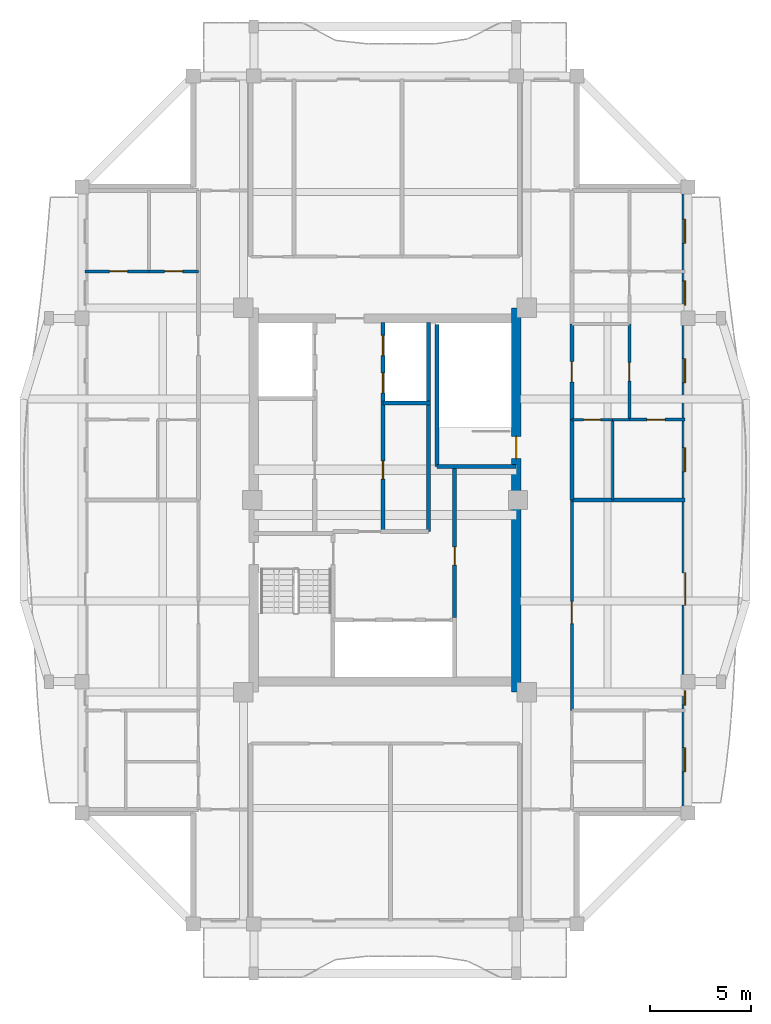
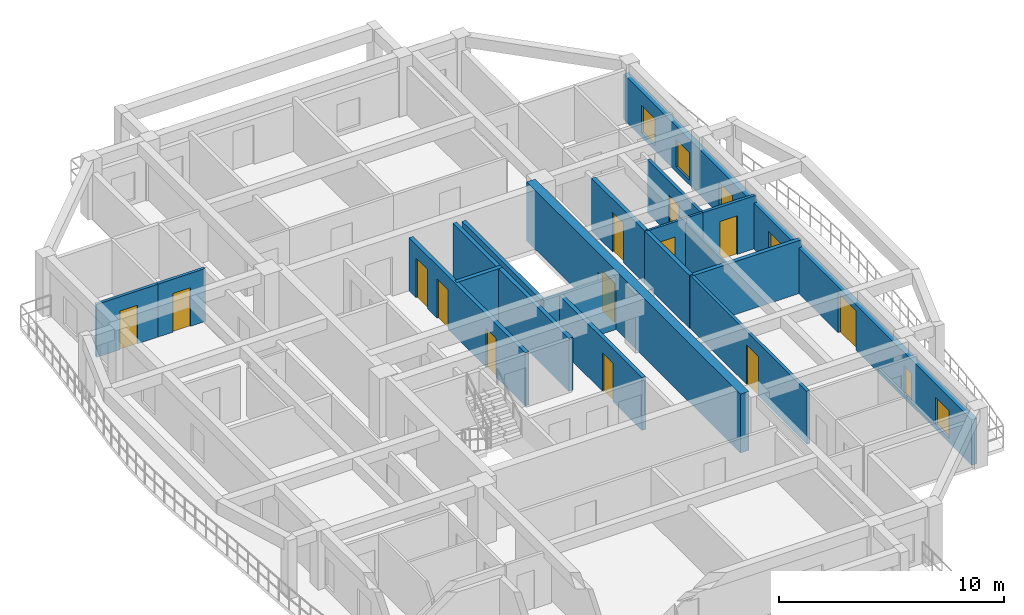
# One storey, part 4 of 11: 20 walls, 13 doors, 6 windows, 19 openings.
"""IFC4 building model written with IfcOpenShell, lengths in metres."""

from ifc_helpers import new_model, si_unit, direction, frame, frame_2d, origin, place, context, subcontext, project, spatial, rectangle, extrude, source, transform, mapped, material, layer, layer_set, type_object, element, fill, save


model = new_model("IFC4")

# Units and contexts
model_context = context("Model", 3, precision=1e-05, world=origin(), true_north=direction((0.0, 1.0)))
body_context = subcontext(model_context, "Body", "Model", "MODEL_VIEW")
ifc_project = project(units=[si_unit("LENGTHUNIT", "METRE"), si_unit("AREAUNIT", "SQUARE_METRE"), si_unit("VOLUMEUNIT", "CUBIC_METRE"), si_unit("PLANEANGLEUNIT", "RADIAN"), si_unit("MASSUNIT", "GRAM", prefix="KILO")], contexts=[model_context])

# Site, building, storey
site_placement = place(None, origin())
site = spatial("IfcSite", under=ifc_project, at=site_placement, CompositionType="ELEMENT")
building_placement = place(site_placement, origin())
building = spatial("IfcBuilding", under=site, at=building_placement, Name="Saelheon Loggia Tower", CompositionType="ELEMENT")
storey_placement = place(building_placement, frame((0.0, 0.0, 249.0)))
storey = spatial("IfcBuildingStorey", under=building, at=storey_placement, Name="L77", CompositionType="ELEMENT", Elevation=249.0)

# Wall, opening, door
ifc_material_1 = material(Name="Concrete C45/55", Category="concrete")
ifc_layer_1 = layer(ifc_material_1, 0.449951171875)
ifc_layer_set_1 = layer_set([ifc_layer_1], Name="Concrete C45/55")
wall_type_1 = type_object("IfcWallType", Name="Wall_CoreShear_450", PredefinedType="SHEAR", material=ifc_layer_set_1)
wall_1_placement = place(storey_placement, frame((44.5, 17.47998046875, 0.0), z_axis=(0.0, 0.0, 1.0), x_axis=(0.0, 1.0, 0.0)))
wall_1 = element("IfcWall", 1, at=wall_1_placement, inside=storey, type_object=wall_type_1, Name="L77 Core Shear Wall East", PredefinedType="SHEAR", context=body_context, shape_type="SweptSolid", body=[
    extrude(rectangle(XDim=19.0400390625, YDim=0.449951171875, at=frame_2d((9.52001953125, 0.0))), origin(), (0.0, 0.0, 1.0), 3.199951171875),
])
opening_1_placement = place(wall_1_placement, frame((12.670166015625, 0.0, 0.0), z_axis=(0.0, 0.0, 1.0), x_axis=(-1.0, 0.0, 0.0)))
opening_1 = element("IfcOpeningElement", 2, at=opening_1_placement, cuts=wall_1, Name="Opening D-FD2", PredefinedType="OPENING", context=body_context, shape_type="SweptSolid", body=[
    extrude(rectangle(XDim=1.10009765625, YDim=2.14990234375, at=frame_2d((0.550048828125, 1.074951171875))), frame((0.0, 0.237060546875, 0.0), z_axis=(0.0, -1.0, 0.0), x_axis=(1.0, 0.0, 0.0)), (0.0, 0.0, 1.0), 0.473876953125),
])
ifc_material_2 = material(Name="Galvanised Steel Fire Door", Category="steel")
door_type_1 = type_object("IfcDoorType", Name="Door_Fire_FD60_1100", OperationType="NOTDEFINED", PredefinedType="DOOR", material=ifc_material_2)
shared_shape_1 = source(origin(), body_context, "Body", "SweptSolid", [
    extrude(rectangle(XDim=1.10009765625, YDim=2.14990234375, at=frame_2d((0.550048828125, 1.074951171875))), frame((0.0, 0.02490234375, 0.0), z_axis=(0.0, -1.0, 0.0), x_axis=(1.0, 0.0, 0.0)), (0.0, 0.0, 1.0), 0.050048828125),
])
door_1_placement = place(opening_1_placement, origin())
door_1 = element("IfcDoor", 3, at=door_1_placement, inside=storey, type_object=door_type_1, Name="L77 Stair ST2 Corridor Door", OperationType="SINGLE_SWING_RIGHT", OverallHeight=2.14990234375, OverallWidth=1.10009765625, PredefinedType="DOOR", context=body_context, shape_type="MappedRepresentation", body=[
    mapped(shared_shape_1, transform((0.0, 0.0, 0.0), scale=1.0)),
])
fill(opening_1, door_1)

# Wall, openings, windows, door
ifc_material_3 = material(Name="Architectural Precast Concrete C40/50", Category="concrete")
ifc_layer_2 = layer(ifc_material_3, 0.280029296875)
ifc_layer_set_2 = layer_set([ifc_layer_2], Name="Architectural Precast Concrete C40/50")
wall_type_2 = type_object("IfcWallType", Name="Wall_Ext_Loggia_280", PredefinedType="SOLIDWALL", material=ifc_layer_set_2)
wall_2_placement = place(storey_placement, frame((52.860107421875, 11.5, 0.0), z_axis=(0.0, 0.0, 1.0), x_axis=(0.0, 1.0, 0.0)))
wall_2 = element("IfcWall", 4, at=wall_2_placement, inside=storey, type_object=wall_type_2, Name="L77 East Loggia Inner Wall", PredefinedType="SOLIDWALL", context=body_context, shape_type="SweptSolid", body=[
    extrude(rectangle(XDim=31.0, YDim=0.280029296875, at=frame_2d((15.5, 0.0))), origin(), (0.0, 0.0, 1.0), 2.47998046875),
])
opening_2_placement = place(wall_2_placement, frame((2.034912109375, 0.0, 0.25)))
opening_2 = element("IfcOpeningElement", 5, at=opening_2_placement, cuts=wall_2, Name="Opening WN-03", PredefinedType="OPENING", context=body_context, shape_type="SweptSolid", body=[
    extrude(rectangle(XDim=1.199951171875, YDim=1.5, at=frame_2d((0.60009765625, 0.75))), frame((0.0, 0.152099609375, 0.0), z_axis=(0.0, -1.0, 0.0), x_axis=(1.0, 0.0, 0.0)), (0.0, 0.0, 1.0), 0.303955078125),
])
opening_3_placement = place(wall_2_placement, frame((5.344970703125, 0.0, 0.25)))
opening_3 = element("IfcOpeningElement", 6, at=opening_3_placement, cuts=wall_2, Name="Opening WN-06", PredefinedType="OPENING", context=body_context, shape_type="SweptSolid", body=[
    extrude(rectangle(XDim=0.699951171875, YDim=1.5, at=frame_2d((0.35009765625, 0.75))), frame((0.0, 0.152099609375, 0.0), z_axis=(0.0, -1.0, 0.0), x_axis=(1.0, 0.0, 0.0)), (0.0, 0.0, 1.0), 0.303955078125),
])
opening_4_placement = place(wall_2_placement, frame((11.89501953125, 0.0, 0.0), z_axis=(0.0, 0.0, 1.0), x_axis=(-1.0, 0.0, 0.0)))
opening_4 = element("IfcOpeningElement", 7, at=opening_4_placement, cuts=wall_2, Name="Opening DLG-1", PredefinedType="OPENING", context=body_context, shape_type="SweptSolid", body=[
    extrude(rectangle(XDim=1.60009765625, YDim=2.14990234375, at=frame_2d((0.800048828125, 1.074951171875))), frame((0.0, 0.152099609375, 0.0), z_axis=(0.0, -1.0, 0.0), x_axis=(1.0, 0.0, 0.0)), (0.0, 0.0, 1.0), 0.303955078125),
])
opening_5_placement = place(wall_2_placement, frame((16.8916015625, 0.0, 0.25)))
opening_5 = element("IfcOpeningElement", 8, at=opening_5_placement, cuts=wall_2, Name="Opening WN-03", PredefinedType="OPENING", context=body_context, shape_type="SweptSolid", body=[
    extrude(rectangle(XDim=1.199951171875, YDim=1.5, at=frame_2d((0.60009765625, 0.75))), frame((0.0, 0.152099609375, 0.0), z_axis=(0.0, -1.0, 0.0), x_axis=(1.0, 0.0, 0.0)), (0.0, 0.0, 1.0), 0.303955078125),
])
opening_6_placement = place(wall_2_placement, frame((21.296630859375, 0.0, 0.25)))
opening_6 = element("IfcOpeningElement", 9, at=opening_6_placement, cuts=wall_2, Name="Opening WN-03", PredefinedType="OPENING", context=body_context, shape_type="SweptSolid", body=[
    extrude(rectangle(XDim=1.199951171875, YDim=1.5, at=frame_2d((0.60009765625, 0.75))), frame((0.0, 0.152099609375, 0.0), z_axis=(0.0, -1.0, 0.0), x_axis=(1.0, 0.0, 0.0)), (0.0, 0.0, 1.0), 0.303955078125),
])
opening_7_placement = place(wall_2_placement, frame((25.155029296875, 0.0, 0.25)))
opening_7 = element("IfcOpeningElement", 10, at=opening_7_placement, cuts=wall_2, Name="Opening WN-03", PredefinedType="OPENING", context=body_context, shape_type="SweptSolid", body=[
    extrude(rectangle(XDim=1.199951171875, YDim=1.5, at=frame_2d((0.60009765625, 0.75))), frame((0.0, 0.152099609375, 0.0), z_axis=(0.0, -1.0, 0.0), x_axis=(1.0, 0.0, 0.0)), (0.0, 0.0, 1.0), 0.303955078125),
])
opening_8_placement = place(wall_2_placement, frame((28.215087890625, 0.0, 0.25)))
opening_8 = element("IfcOpeningElement", 11, at=opening_8_placement, cuts=wall_2, Name="Opening WN-03", PredefinedType="OPENING", context=body_context, shape_type="SweptSolid", body=[
    extrude(rectangle(XDim=1.199951171875, YDim=1.5, at=frame_2d((0.60009765625, 0.75))), frame((0.0, 0.152099609375, 0.0), z_axis=(0.0, -1.0, 0.0), x_axis=(1.0, 0.0, 0.0)), (0.0, 0.0, 1.0), 0.303955078125),
])
ifc_material_4 = material(Name="Thermal-Break Aluminium and Triple Low-E Glass", Category="aluminium")
window_type_1 = type_object("IfcWindowType", Name="Win_Slot_700x1500", PartitioningType="SINGLE_PANEL", PredefinedType="WINDOW", material=ifc_material_4)
shared_shape_2 = source(origin(), body_context, "Body", "SweptSolid", [
    extrude(rectangle(XDim=0.699951171875, YDim=1.5, at=frame_2d((0.35009765625, 0.75))), frame((0.0, 0.030029296875, 0.0), z_axis=(0.0, -1.0, 0.0), x_axis=(1.0, 0.0, 0.0)), (0.0, 0.0, 1.0), 0.06005859375),
])
window_1_placement = place(opening_3_placement, origin())
window_1 = element("IfcWindow", 12, at=window_1_placement, inside=storey, type_object=window_type_1, Name="L77 E Dwelling Window 2", OverallHeight=1.5, OverallWidth=0.699951171875, PartitioningType="SINGLE_PANEL", PredefinedType="WINDOW", context=body_context, shape_type="MappedRepresentation", body=[
    mapped(shared_shape_2, transform((0.0, 0.0, 0.0), scale=1.0)),
])
fill(opening_3, window_1)
window_type_2 = type_object("IfcWindowType", Name="Win_Bedroom_1200x1500", PartitioningType="SINGLE_PANEL", PredefinedType="WINDOW", material=ifc_material_4)
shared_shape_3 = source(origin(), body_context, "Body", "SweptSolid", [
    extrude(rectangle(XDim=1.199951171875, YDim=1.5, at=frame_2d((0.60009765625, 0.75))), frame((0.0, 0.030029296875, 0.0), z_axis=(0.0, -1.0, 0.0), x_axis=(1.0, 0.0, 0.0)), (0.0, 0.0, 1.0), 0.06005859375),
])
window_2_placement = place(opening_2_placement, origin())
window_2 = element("IfcWindow", 13, at=window_2_placement, inside=storey, type_object=window_type_2, Name="L77 E Dwelling Window 1", OverallHeight=1.5, OverallWidth=1.199951171875, PartitioningType="SINGLE_PANEL", PredefinedType="WINDOW", context=body_context, shape_type="MappedRepresentation", body=[
    mapped(shared_shape_3, transform((0.0, 0.0, 0.0), scale=1.0)),
])
fill(opening_2, window_2)
window_3_placement = place(opening_5_placement, origin())
window_3 = element("IfcWindow", 14, at=window_3_placement, inside=storey, type_object=window_type_2, Name="L77 E Dwelling Window 4", OverallHeight=1.5, OverallWidth=1.199951171875, PartitioningType="SINGLE_PANEL", PredefinedType="WINDOW", context=body_context, shape_type="MappedRepresentation", body=[
    mapped(shared_shape_3, transform((0.0, 0.0, 0.0), scale=1.0)),
])
fill(opening_5, window_3)
window_4_placement = place(opening_6_placement, origin())
window_4 = element("IfcWindow", 15, at=window_4_placement, inside=storey, type_object=window_type_2, Name="L77 E Dwelling Window 5", OverallHeight=1.5, OverallWidth=1.199951171875, PartitioningType="SINGLE_PANEL", PredefinedType="WINDOW", context=body_context, shape_type="MappedRepresentation", body=[
    mapped(shared_shape_3, transform((0.0, 0.0, 0.0), scale=1.0)),
])
fill(opening_6, window_4)
window_5_placement = place(opening_7_placement, origin())
window_5 = element("IfcWindow", 16, at=window_5_placement, inside=storey, type_object=window_type_2, Name="L77 E Dwelling Window 6", OverallHeight=1.5, OverallWidth=1.199951171875, PartitioningType="SINGLE_PANEL", PredefinedType="WINDOW", context=body_context, shape_type="MappedRepresentation", body=[
    mapped(shared_shape_3, transform((0.0, 0.0, 0.0), scale=1.0)),
])
fill(opening_7, window_5)
window_6_placement = place(opening_8_placement, origin())
window_6 = element("IfcWindow", 17, at=window_6_placement, inside=storey, type_object=window_type_2, Name="L77 E Dwelling Window 7", OverallHeight=1.5, OverallWidth=1.199951171875, PartitioningType="SINGLE_PANEL", PredefinedType="WINDOW", context=body_context, shape_type="MappedRepresentation", body=[
    mapped(shared_shape_3, transform((0.0, 0.0, 0.0), scale=1.0)),
])
fill(opening_8, window_6)
ifc_material_5 = material(Name="Thermal-Break Aluminium Sliding Glazed Door", Category="aluminium")
door_type_2 = type_object("IfcDoorType", Name="Door_LoggiaSlide_1600", OperationType="SLIDING_TO_LEFT", PredefinedType="DOOR", material=ifc_material_5)
shared_shape_4 = source(origin(), body_context, "Body", "SweptSolid", [
    extrude(rectangle(XDim=1.60009765625, YDim=2.14990234375, at=frame_2d((0.800048828125, 1.074951171875))), frame((0.0, 0.02490234375, 0.0), z_axis=(0.0, -1.0, 0.0), x_axis=(1.0, 0.0, 0.0)), (0.0, 0.0, 1.0), 0.050048828125),
])
door_2_placement = place(opening_4_placement, origin())
door_2 = element("IfcDoor", 18, at=door_2_placement, inside=storey, type_object=door_type_2, Name="L77 E Loggia Access Door", OperationType="SLIDING_TO_LEFT", OverallHeight=2.14990234375, OverallWidth=1.60009765625, PredefinedType="DOOR", context=body_context, shape_type="MappedRepresentation", body=[
    mapped(shared_shape_4, transform((0.0, 0.0, 0.0), scale=1.0)),
])
fill(opening_4, door_2)

# Wall, opening, door
ifc_material_6 = material(Name="Lightweight Autoclaved Aerated Concrete Block and Acoustic Gypsum", Category="concrete")
ifc_layer_3 = layer(ifc_material_6, 0.14990234375)
ifc_layer_set_3 = layer_set([ifc_layer_3], Name="Lightweight Autoclaved Aerated Concrete Block and Acoustic Gypsum")
wall_type_3 = type_object("IfcWallType", Name="Wall_Part_150", PredefinedType="PARTITIONING", material=ifc_layer_set_3)
wall_3_placement = place(storey_placement, frame((28.75, 38.320068359375, 0.0), z_axis=(0.0, 0.0, 1.0), x_axis=(-1.0, 0.0, 0.0)))
wall_3 = element("IfcWall", 19, at=wall_3_placement, inside=storey, type_object=wall_type_3, Name="L77 W Partition U18", PredefinedType="PARTITIONING", context=body_context, shape_type="SweptSolid", body=[
    extrude(rectangle(XDim=2.43994140625, YDim=0.14990234375, at=frame_2d((1.219970703125, 0.0))), origin(), (0.0, 0.0, 1.0), 2.8798828125),
])
opening_9_placement = place(wall_3_placement, frame((0.77001953125, 0.0, 0.0)))
opening_9 = element("IfcOpeningElement", 20, at=opening_9_placement, cuts=wall_3, Name="Opening D-IN2", PredefinedType="OPENING", context=body_context, shape_type="SweptSolid", body=[
    extrude(rectangle(XDim=0.89990234375, YDim=2.10009765625, at=frame_2d((0.449951171875, 1.050048828125))), frame((0.0, 0.0869140625, 0.0), z_axis=(0.0, -1.0, 0.0), x_axis=(1.0, 0.0, 0.0)), (0.0, 0.0, 1.0), 0.173828125),
])
ifc_material_7 = material(Name="Engineered Oak Flush Door", Category="timber")
door_type_3 = type_object("IfcDoorType", Name="Door_Int_900", OperationType="NOTDEFINED", PredefinedType="DOOR", material=ifc_material_7)
shared_shape_5 = source(origin(), body_context, "Body", "SweptSolid", [
    extrude(rectangle(XDim=0.89990234375, YDim=2.10009765625, at=frame_2d((0.449951171875, 1.050048828125))), frame((0.0, 0.02490234375, 0.0), z_axis=(0.0, -1.0, 0.0), x_axis=(1.0, 0.0, 0.0)), (0.0, 0.0, 1.0), 0.050048828125),
])
door_3_placement = place(opening_9_placement, origin())
door_3 = element("IfcDoor", 21, at=door_3_placement, inside=storey, type_object=door_type_3, Name="Unit U01 Kitchen Door", OperationType="SINGLE_SWING_RIGHT", OverallHeight=2.10009765625, OverallWidth=0.89990234375, PredefinedType="DOOR", context=body_context, shape_type="MappedRepresentation", body=[
    mapped(shared_shape_5, transform((0.0, 0.0, 0.0), scale=1.0)),
])
fill(opening_9, door_3)

wall_4_placement = place(storey_placement, frame((26.31005859375, 38.320068359375, 0.0), z_axis=(0.0, 0.0, 1.0), x_axis=(-1.0, 0.0, 0.0)))
wall_4 = element("IfcWall", 22, at=wall_4_placement, inside=storey, type_object=wall_type_3, Name="L77 W Partition U19", PredefinedType="PARTITIONING", context=body_context, shape_type="SweptSolid", body=[
    extrude(rectangle(XDim=3.16015625, YDim=0.14990234375, at=frame_2d((1.580078125, 0.0))), origin(), (0.0, 0.0, 1.0), 2.8798828125),
])
opening_10_placement = place(wall_4_placement, frame((1.055908203125, 0.0, 0.0)))
opening_10 = element("IfcOpeningElement", 23, at=opening_10_placement, cuts=wall_4, Name="Opening D-IN2", PredefinedType="OPENING", context=body_context, shape_type="SweptSolid", body=[
    extrude(rectangle(XDim=0.89990234375, YDim=2.10009765625, at=frame_2d((0.449951171875, 1.050048828125))), frame((0.0, 0.0869140625, 0.0), z_axis=(0.0, -1.0, 0.0), x_axis=(1.0, 0.0, 0.0)), (0.0, 0.0, 1.0), 0.173828125),
])
door_4_placement = place(opening_10_placement, origin())
door_4 = element("IfcDoor", 24, at=door_4_placement, inside=storey, type_object=door_type_3, Name="Unit U01 Bedroom 1 Door", OperationType="SINGLE_SWING_LEFT", OverallHeight=2.10009765625, OverallWidth=0.89990234375, PredefinedType="DOOR", context=body_context, shape_type="MappedRepresentation", body=[
    mapped(shared_shape_5, transform((0.0, 0.0, 0.0), scale=1.0)),
])
fill(opening_10, door_4)

wall_5_placement = place(storey_placement, frame((47.25, 16.580078125, 0.0), z_axis=(0.0, 0.0, 1.0), x_axis=(0.0, 1.0, 0.0)))
wall_5 = element("IfcWall", 25, at=wall_5_placement, inside=storey, type_object=wall_type_3, Name="L77 E Partition V09", PredefinedType="PARTITIONING", context=body_context, shape_type="SweptSolid", body=[
    extrude(rectangle(XDim=10.419921875, YDim=0.14990234375, at=frame_2d((5.2099609375, 0.0))), origin(), (0.0, 0.0, 1.0), 2.8798828125),
])
opening_11_placement = place(wall_5_placement, frame((4.293212890625, 0.0, 0.0)))
opening_11 = element("IfcOpeningElement", 26, at=opening_11_placement, cuts=wall_5, Name="Opening D-FD2", PredefinedType="OPENING", context=body_context, shape_type="SweptSolid", body=[
    extrude(rectangle(XDim=1.10009765625, YDim=2.14990234375, at=frame_2d((0.550048828125, 1.074951171875))), frame((0.0, 0.0869140625, 0.0), z_axis=(0.0, -1.0, 0.0), x_axis=(1.0, 0.0, 0.0)), (0.0, 0.0, 1.0), 0.173828125),
])
door_5_placement = place(opening_11_placement, origin())
door_5 = element("IfcDoor", 27, at=door_5_placement, inside=storey, type_object=door_type_1, Name="L77 Community Wellness Activity Hall Door A", OperationType="SINGLE_SWING_LEFT", OverallHeight=2.14990234375, OverallWidth=1.10009765625, PredefinedType="DOOR", context=body_context, shape_type="MappedRepresentation", body=[
    mapped(shared_shape_1, transform((0.0, 0.0, 0.0), scale=1.0)),
])
fill(opening_11, door_5)

wall_6_placement = place(storey_placement, frame((50.10009765625, 30.983154296875, 0.0), z_axis=(0.0, 0.0, 1.0), x_axis=(0.0, 1.0, 0.0)))
wall_6 = element("IfcWall", 28, at=wall_6_placement, inside=storey, type_object=wall_type_3, Name="L77 E Partition V15", PredefinedType="PARTITIONING", context=body_context, shape_type="SweptSolid", body=[
    extrude(rectangle(XDim=4.73681640625, YDim=0.14990234375, at=frame_2d((2.368408203125, 0.0))), origin(), (0.0, 0.0, 1.0), 2.8798828125),
])
opening_12_placement = place(wall_6_placement, frame((1.91845703125, 0.0, 0.0)))
opening_12 = element("IfcOpeningElement", 29, at=opening_12_placement, cuts=wall_6, Name="Opening D-IN2", PredefinedType="OPENING", context=body_context, shape_type="SweptSolid", body=[
    extrude(rectangle(XDim=0.89990234375, YDim=2.10009765625, at=frame_2d((0.449951171875, 1.050048828125))), frame((0.0, 0.0869140625, 0.0), z_axis=(0.0, -1.0, 0.0), x_axis=(1.0, 0.0, 0.0)), (0.0, 0.0, 1.0), 0.173828125),
])
door_6_placement = place(opening_12_placement, origin())
door_6 = element("IfcDoor", 30, at=door_6_placement, inside=storey, type_object=door_type_3, Name="Unit U02 Living Door", OperationType="SINGLE_SWING_LEFT", OverallHeight=2.10009765625, OverallWidth=0.89990234375, PredefinedType="DOOR", context=body_context, shape_type="MappedRepresentation", body=[
    mapped(shared_shape_5, transform((0.0, 0.0, 0.0), scale=1.0)),
])
fill(opening_12, door_6)

wall_7_placement = place(storey_placement, frame((50.10009765625, 30.983154296875, 0.0), z_axis=(0.0, 0.0, 1.0), x_axis=(1.0, 0.0, 0.0)))
wall_7 = element("IfcWall", 31, at=wall_7_placement, inside=storey, type_object=wall_type_3, Name="L77 E Partition U22", PredefinedType="PARTITIONING", context=body_context, shape_type="SweptSolid", body=[
    extrude(rectangle(XDim=2.75, YDim=0.14990234375, at=frame_2d((1.375, 0.0))), origin(), (0.0, 0.0, 1.0), 2.8798828125),
])
opening_13_placement = place(wall_7_placement, frame((0.867919921875, 0.0, 0.0)))
opening_13 = element("IfcOpeningElement", 32, at=opening_13_placement, cuts=wall_7, Name="Opening D-IN2", PredefinedType="OPENING", context=body_context, shape_type="SweptSolid", body=[
    extrude(rectangle(XDim=0.89990234375, YDim=2.10009765625, at=frame_2d((0.449951171875, 1.050048828125))), frame((0.0, 0.0869140625, 0.0), z_axis=(0.0, -1.0, 0.0), x_axis=(1.0, 0.0, 0.0)), (0.0, 0.0, 1.0), 0.173828125),
])
door_7_placement = place(opening_13_placement, origin())
door_7 = element("IfcDoor", 33, at=door_7_placement, inside=storey, type_object=door_type_3, Name="Unit U02 Bedroom 2 Door", OperationType="SINGLE_SWING_RIGHT", OverallHeight=2.10009765625, OverallWidth=0.89990234375, PredefinedType="DOOR", context=body_context, shape_type="MappedRepresentation", body=[
    mapped(shared_shape_5, transform((0.0, 0.0, 0.0), scale=1.0)),
])
fill(opening_13, door_7)

# Walls
ifc_material_8 = material(Name="Double Acoustic Stud and Fireboard Partition", Category="gypsum")
ifc_layer_4 = layer(ifc_material_8, 0.199951171875)
ifc_layer_set_4 = layer_set([ifc_layer_4], Name="Double Acoustic Stud and Fireboard Partition")
wall_type_4 = type_object("IfcWallType", Name="Wall_Party_200", PredefinedType="PARTITIONING", material=ifc_layer_set_4)
wall_8_placement = place(storey_placement, frame((47.25, 27.0, 0.0), z_axis=(0.0, 0.0, 1.0), x_axis=(1.0, 0.0, 0.0)))
element("IfcWall", 34, at=wall_8_placement, inside=storey, type_object=wall_type_4, Name="L77 E Partition U10", PredefinedType="PARTITIONING", context=body_context, shape_type="SweptSolid", body=[
    extrude(rectangle(XDim=5.60009765625, YDim=0.199951171875, at=frame_2d((2.800048828125, 0.0))), origin(), (0.0, 0.0, 1.0), 2.8798828125),
])
wall_9_placement = place(storey_placement, frame((47.25, 27.0, 0.0), z_axis=(0.0, 0.0, 1.0), x_axis=(0.0, 1.0, 0.0)))
element("IfcWall", 35, at=wall_9_placement, inside=storey, type_object=wall_type_4, Name="L77 E Partition V11", PredefinedType="PARTITIONING", context=body_context, shape_type="SweptSolid", body=[
    extrude(rectangle(XDim=3.983154296875, YDim=0.199951171875, at=frame_2d((1.99169921875, 0.0))), origin(), (0.0, 0.0, 1.0), 2.8798828125),
])

# Wall, opening, door
wall_10_placement = place(storey_placement, frame((47.25, 30.983154296875, 0.0), z_axis=(0.0, 0.0, 1.0), x_axis=(0.0, 1.0, 0.0)))
wall_10 = element("IfcWall", 36, at=wall_10_placement, inside=storey, type_object=wall_type_4, Name="L77 E Partition V12", PredefinedType="PARTITIONING", context=body_context, shape_type="SweptSolid", body=[
    extrude(rectangle(XDim=4.73681640625, YDim=0.199951171875, at=frame_2d((2.368408203125, 0.0))), origin(), (0.0, 0.0, 1.0), 2.8798828125),
])
opening_14_placement = place(wall_10_placement, frame((1.868408203125, 0.0, 0.0)))
opening_14 = element("IfcOpeningElement", 37, at=opening_14_placement, cuts=wall_10, Name="Opening D-FD1", PredefinedType="OPENING", context=body_context, shape_type="SweptSolid", body=[
    extrude(rectangle(XDim=1.0, YDim=2.14990234375, at=frame_2d((0.5, 1.074951171875))), frame((0.0, 0.112060546875, 0.0), z_axis=(0.0, -1.0, 0.0), x_axis=(1.0, 0.0, 0.0)), (0.0, 0.0, 1.0), 0.223876953125),
])
ifc_material_9 = material(Name="Fire-Rated Engineered Timber Entrance Door", Category="wood")
door_type_4 = type_object("IfcDoorType", Name="Door_Flat_FD30S", OperationType="NOTDEFINED", PredefinedType="DOOR", material=ifc_material_9)
shared_shape_6 = source(origin(), body_context, "Body", "SweptSolid", [
    extrude(rectangle(XDim=1.0, YDim=2.14990234375, at=frame_2d((0.5, 1.074951171875))), frame((0.0, 0.02490234375, 0.0), z_axis=(0.0, -1.0, 0.0), x_axis=(1.0, 0.0, 0.0)), (0.0, 0.0, 1.0), 0.050048828125),
])
door_8_placement = place(opening_14_placement, origin())
door_8 = element("IfcDoor", 38, at=door_8_placement, inside=storey, type_object=door_type_4, Name="Unit U02 Entrance Door", OperationType="SINGLE_SWING_RIGHT", OverallHeight=2.14990234375, OverallWidth=1.0, PredefinedType="DOOR", context=body_context, shape_type="MappedRepresentation", body=[
    mapped(shared_shape_6, transform((0.0, 0.0, 0.0), scale=1.0)),
])
fill(opening_14, door_8)

ifc_material_10 = material(Name="Concrete C40/50", Category="concrete")
ifc_layer_5 = layer(ifc_material_10, 0.199951171875)
ifc_layer_set_5 = layer_set([ifc_layer_5], Name="Concrete C40/50")
wall_type_5 = type_object("IfcWallType", Name="Wall_Shaft_200", PredefinedType="PARTITIONING", material=ifc_layer_set_5)
wall_11_placement = place(storey_placement, frame((41.449951171875, 21.179931640625, 0.0), z_axis=(0.0, 0.0, 1.0), x_axis=(0.0, 1.0, 0.0)))
wall_11 = element("IfcWall", 39, at=wall_11_placement, inside=storey, type_object=wall_type_5, Name="CW-INT-L77-BOH-W1", PredefinedType="PARTITIONING", context=body_context, shape_type="SweptSolid", body=[
    extrude(rectangle(XDim=7.420166015625, YDim=0.199951171875, at=frame_2d((3.7099609375, 0.0))), origin(), (0.0, 0.0, 1.0), 2.8798828125),
])
opening_15_placement = place(wall_11_placement, frame((2.60009765625, 0.0, 0.0)))
opening_15 = element("IfcOpeningElement", 40, at=opening_15_placement, cuts=wall_11, Name="Opening D-RS1", PredefinedType="OPENING", context=body_context, shape_type="SweptSolid", body=[
    extrude(rectangle(XDim=0.89990234375, YDim=2.10009765625, at=frame_2d((0.449951171875, 1.050048828125))), frame((0.0, 0.112060546875, 0.0), z_axis=(0.0, -1.0, 0.0), x_axis=(1.0, 0.0, 0.0)), (0.0, 0.0, 1.0), 0.223876953125),
])
ifc_material_11 = material(Name="Galvanised Steel Riser Access Door", Category="steel")
door_type_5 = type_object("IfcDoorType", Name="Door_Riser_FD60", OperationType="NOTDEFINED", PredefinedType="DOOR", material=ifc_material_11)
door_9_placement = place(opening_15_placement, origin())
door_9 = element("IfcDoor", 41, at=door_9_placement, inside=storey, type_object=door_type_5, Name="L77 Core Service Store Door", OperationType="SINGLE_SWING_LEFT", OverallHeight=2.10009765625, OverallWidth=0.89990234375, PredefinedType="DOOR", context=body_context, shape_type="MappedRepresentation", body=[
    mapped(shared_shape_5, transform((0.0, 0.0, 0.0), scale=1.0)),
])
fill(opening_15, door_9)

# Walls
wall_12_placement = place(storey_placement, frame((40.14990234375, 25.43994140625, 0.0), z_axis=(0.0, 0.0, 1.0), x_axis=(0.0, 1.0, 0.0)))
element("IfcWall", 42, at=wall_12_placement, inside=storey, type_object=wall_type_5, Name="L77 Core Service Passage West Wall", PredefinedType="PARTITIONING", context=body_context, shape_type="SweptSolid", body=[
    extrude(rectangle(XDim=6.360107421875, YDim=0.199951171875, at=frame_2d((3.18017578125, 0.0))), origin(), (0.0, 0.0, 1.0), 2.8798828125),
])
wall_13_placement = place(storey_placement, frame((40.14990234375, 31.800048828125, 0.0), z_axis=(0.0, 0.0, 1.0), x_axis=(0.0, 1.0, 0.0)))
element("IfcWall", 43, at=wall_13_placement, inside=storey, type_object=wall_type_5, Name="L77 East High-Rise Hoistway East Wall", PredefinedType="PARTITIONING", context=body_context, shape_type="SweptSolid", body=[
    extrude(rectangle(XDim=3.97998046875, YDim=0.199951171875, at=frame_2d((1.989990234375, 0.0))), origin(), (0.0, 0.0, 1.0), 2.8798828125),
])

# Wall, openings, doors
wall_14_placement = place(storey_placement, frame((37.89990234375, 25.43994140625, 0.0), z_axis=(0.0, 0.0, 1.0), x_axis=(0.0, 1.0, 0.0)))
wall_14 = element("IfcWall", 44, at=wall_14_placement, inside=storey, type_object=wall_type_5, Name="L77 East Passenger Lift Bank Wall", PredefinedType="PARTITIONING", context=body_context, shape_type="SweptSolid", body=[
    extrude(rectangle(XDim=10.340087890625, YDim=0.199951171875, at=frame_2d((5.169921875, 0.0))), origin(), (0.0, 0.0, 1.0), 2.8798828125),
])
opening_16_placement = place(wall_14_placement, frame((2.60009765625, 0.0, 0.0)))
opening_16 = element("IfcOpeningElement", 45, at=opening_16_placement, cuts=wall_14, Name="Opening D-RS1", PredefinedType="OPENING", context=body_context, shape_type="SweptSolid", body=[
    extrude(rectangle(XDim=0.89990234375, YDim=2.10009765625, at=frame_2d((0.449951171875, 1.050048828125))), frame((0.0, 0.112060546875, 0.0), z_axis=(0.0, -1.0, 0.0), x_axis=(1.0, 0.0, 0.0)), (0.0, 0.0, 1.0), 0.223876953125),
])
opening_17_placement = place(wall_14_placement, frame((6.860107421875, 0.0, 0.0)))
opening_17 = element("IfcOpeningElement", 46, at=opening_17_placement, cuts=wall_14, Name="Opening LD1", PredefinedType="OPENING", context=body_context, shape_type="SweptSolid", body=[
    extrude(rectangle(XDim=1.0, YDim=2.14990234375, at=frame_2d((0.5, 1.074951171875))), frame((0.0, 0.112060546875, 0.0), z_axis=(0.0, -1.0, 0.0), x_axis=(1.0, 0.0, 0.0)), (0.0, 0.0, 1.0), 0.223876953125),
])
opening_18_placement = place(wall_14_placement, frame((8.7099609375, 0.0, 0.0)))
opening_18 = element("IfcOpeningElement", 47, at=opening_18_placement, cuts=wall_14, Name="Opening LD1", PredefinedType="OPENING", context=body_context, shape_type="SweptSolid", body=[
    extrude(rectangle(XDim=1.0, YDim=2.14990234375, at=frame_2d((0.5, 1.074951171875))), frame((0.0, 0.112060546875, 0.0), z_axis=(0.0, -1.0, 0.0), x_axis=(1.0, 0.0, 0.0)), (0.0, 0.0, 1.0), 0.223876953125),
])
door_10_placement = place(opening_16_placement, origin())
door_10 = element("IfcDoor", 48, at=door_10_placement, inside=storey, type_object=door_type_5, Name="L77 Upper Storage Room Door", OperationType="SINGLE_SWING_LEFT", OverallHeight=2.10009765625, OverallWidth=0.89990234375, PredefinedType="DOOR", context=body_context, shape_type="MappedRepresentation", body=[
    mapped(shared_shape_5, transform((0.0, 0.0, 0.0), scale=1.0)),
])
fill(opening_16, door_10)
ifc_material_12 = material(Name="Brushed Stainless Steel 304 Landing Door", Category="steel")
door_type_6 = type_object("IfcDoorType", Name="Door_Lift_LD1", OperationType="DOUBLE_DOOR_SLIDING", PredefinedType="DOOR", material=ifc_material_12)
door_11_placement = place(opening_17_placement, origin())
door_11 = element("IfcDoor", 49, at=door_11_placement, inside=storey, type_object=door_type_6, Name="L77 PH3 Landing Door", OperationType="DOUBLE_DOOR_SLIDING", OverallHeight=2.14990234375, OverallWidth=1.0, PredefinedType="DOOR", context=body_context, shape_type="MappedRepresentation", body=[
    mapped(shared_shape_6, transform((0.0, 0.0, 0.0), scale=1.0)),
])
fill(opening_17, door_11)
door_12_placement = place(opening_18_placement, origin())
door_12 = element("IfcDoor", 50, at=door_12_placement, inside=storey, type_object=door_type_6, Name="L77 PH4 Landing Door", OperationType="DOUBLE_DOOR_SLIDING", OverallHeight=2.14990234375, OverallWidth=1.0, PredefinedType="DOOR", context=body_context, shape_type="MappedRepresentation", body=[
    mapped(shared_shape_6, transform((0.0, 0.0, 0.0), scale=1.0)),
])
fill(opening_18, door_12)

# Walls
wall_15_placement = place(storey_placement, frame((37.89990234375, 31.800048828125, 0.0), z_axis=(0.0, 0.0, 1.0), x_axis=(1.0, 0.0, 0.0)))
element("IfcWall", 51, at=wall_15_placement, inside=storey, type_object=wall_type_5, Name="L77 East High-Rise Shaft Divider", PredefinedType="PARTITIONING", context=body_context, shape_type="SweptSolid", body=[
    extrude(rectangle(XDim=2.35009765625, YDim=0.199951171875, at=frame_2d((1.175048828125, 0.0))), origin(), (0.0, 0.0, 1.0), 2.8798828125),
])
ifc_layer_6 = layer(ifc_material_1, 0.199951171875)
ifc_layer_set_6 = layer_set([ifc_layer_6], Name="Concrete C45/55")
wall_type_6 = type_object("IfcWallType", Name="Wall_StairShaft_RC200", PredefinedType="SOLIDWALL", material=ifc_layer_set_6)
wall_16_placement = place(storey_placement, frame((40.570068359375, 28.64990234375, 0.0), z_axis=(0.0, 0.0, 1.0), x_axis=(0.0, 1.0, 0.0)))
element("IfcWall", 52, at=wall_16_placement, inside=storey, type_object=wall_type_6, Name="L77 Stair ST2 Shaft Wall", PredefinedType="SOLIDWALL", context=body_context, shape_type="SweptSolid", body=[
    extrude(rectangle(XDim=7.050048828125, YDim=0.199951171875, at=frame_2d((3.52490234375, 0.0))), origin(), (0.0, 0.0, 1.0), 2.8798828125),
])
wall_17_placement = place(storey_placement, frame((40.570068359375, 28.64990234375, 0.0), z_axis=(0.0, 0.0, 1.0), x_axis=(1.0, 0.0, 0.0)))
element("IfcWall", 53, at=wall_17_placement, inside=storey, type_object=wall_type_6, Name="L77 Stair ST2 South Wall", PredefinedType="SOLIDWALL", context=body_context, shape_type="SweptSolid", body=[
    extrude(rectangle(XDim=3.929931640625, YDim=0.199951171875, at=frame_2d((1.96484375, 0.0))), origin(), (0.0, 0.0, 1.0), 2.8798828125),
])
ifc_material_13 = material(Name="Moisture-Resistant Cement Board Partition", Category="gypsum")
ifc_layer_7 = layer(ifc_material_13, 0.1201171875)
ifc_layer_set_7 = layer_set([ifc_layer_7], Name="Moisture-Resistant Cement Board Partition")
wall_type_7 = type_object("IfcWallType", Name="Wall_WetPart_120", PredefinedType="PARTITIONING", material=ifc_layer_set_7)
wall_18_placement = place(storey_placement, frame((49.27001953125, 27.0, 0.0), z_axis=(0.0, 0.0, 1.0), x_axis=(0.0, 1.0, 0.0)))
element("IfcWall", 54, at=wall_18_placement, inside=storey, type_object=wall_type_7, Name="L77 E Partition V18", PredefinedType="PARTITIONING", context=body_context, shape_type="SweptSolid", body=[
    extrude(rectangle(XDim=3.983154296875, YDim=0.1201171875, at=frame_2d((1.99169921875, 0.0))), origin(), (0.0, 0.0, 1.0), 2.590087890625),
])

# Wall, opening, door
wall_19_placement = place(storey_placement, frame((47.25, 30.983154296875, 0.0), z_axis=(0.0, 0.0, 1.0), x_axis=(1.0, 0.0, 0.0)))
wall_19 = element("IfcWall", 55, at=wall_19_placement, inside=storey, type_object=wall_type_7, Name="L77 E Partition U20", PredefinedType="PARTITIONING", context=body_context, shape_type="SweptSolid", body=[
    extrude(rectangle(XDim=2.02001953125, YDim=0.1201171875, at=frame_2d((1.010009765625, 0.0))), origin(), (0.0, 0.0, 1.0), 2.8798828125),
])
opening_19_placement = place(wall_19_placement, frame((0.5849609375, 0.0, 0.0)))
opening_19 = element("IfcOpeningElement", 56, at=opening_19_placement, cuts=wall_19, Name="Opening D-BT1", PredefinedType="OPENING", context=body_context, shape_type="SweptSolid", body=[
    extrude(rectangle(XDim=0.85009765625, YDim=2.050048828125, at=frame_2d((0.425048828125, 1.02490234375))), frame((0.0, 0.072021484375, 0.0), z_axis=(0.0, -1.0, 0.0), x_axis=(1.0, 0.0, 0.0)), (0.0, 0.0, 1.0), 0.14404296875),
])
ifc_material_14 = material(Name="Moisture-Resistant Laminate Timber Door", Category="wood")
door_type_7 = type_object("IfcDoorType", Name="Door_Bath_850", OperationType="NOTDEFINED", PredefinedType="DOOR", material=ifc_material_14)
shared_shape_7 = source(origin(), body_context, "Body", "SweptSolid", [
    extrude(rectangle(XDim=0.85009765625, YDim=2.050048828125, at=frame_2d((0.425048828125, 1.02490234375))), frame((0.0, 0.02490234375, 0.0), z_axis=(0.0, -1.0, 0.0), x_axis=(1.0, 0.0, 0.0)), (0.0, 0.0, 1.0), 0.050048828125),
])
door_13_placement = place(opening_19_placement, origin())
door_13 = element("IfcDoor", 57, at=door_13_placement, inside=storey, type_object=door_type_7, Name="Unit U02 Bathroom Door", OperationType="SINGLE_SWING_LEFT", OverallHeight=2.050048828125, OverallWidth=0.85009765625, PredefinedType="DOOR", context=body_context, shape_type="MappedRepresentation", body=[
    mapped(shared_shape_7, transform((0.0, 0.0, 0.0), scale=1.0)),
])
fill(opening_19, door_13)

# Wall
wall_20_placement = place(storey_placement, frame((49.27001953125, 30.983154296875, 0.0), z_axis=(0.0, 0.0, 1.0), x_axis=(1.0, 0.0, 0.0)))
element("IfcWall", 58, at=wall_20_placement, inside=storey, type_object=wall_type_7, Name="L77 E Partition U21", PredefinedType="PARTITIONING", context=body_context, shape_type="SweptSolid", body=[
    extrude(rectangle(XDim=0.830078125, YDim=0.1201171875, at=frame_2d((0.4150390625, 0.0))), origin(), (0.0, 0.0, 1.0), 2.8798828125),
])

save(model, "model.ifc")
